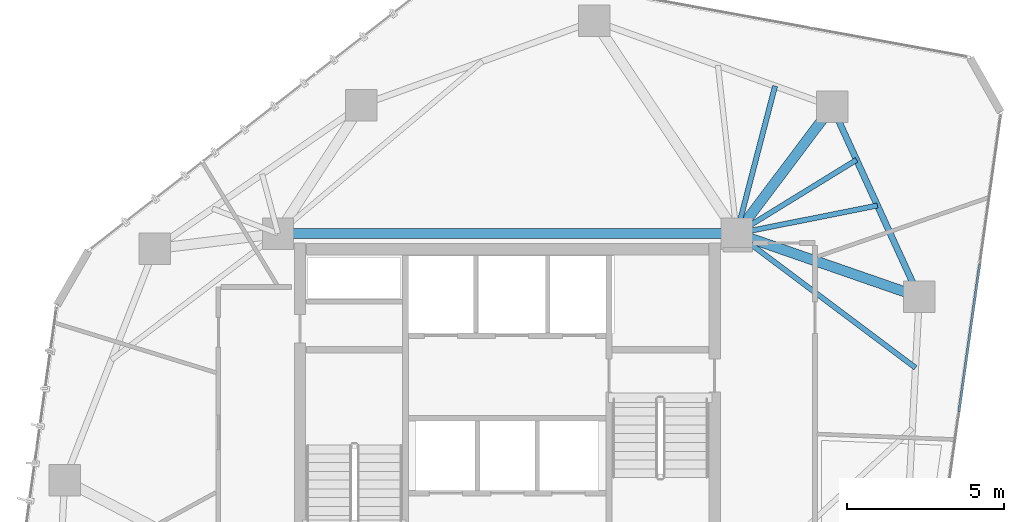
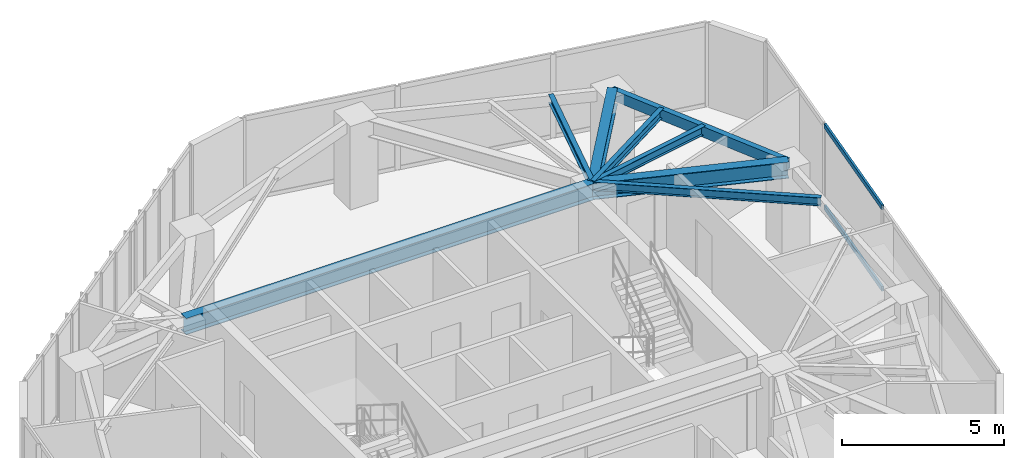
# One storey, part 12 of 21: 8 beams, 2 members, 1 element without a shape of its own.
"""IFC4 building model written with IfcOpenShell, lengths in metres."""

from ifc_helpers import new_model, si_unit, direction, frame, origin, origin_2d, place, context, subcontext, project, spatial, hollow_rectangle, i_section, extrude, source, transform, mapped, material, layer, layer_set, material_profile, profile_set, type_object, type_shapes, element, aggregate, save


model = new_model("IFC4")

# Units and contexts
model_context = context("Model", 3, precision=1e-05, world=origin(), true_north=direction((0.0, 1.0)))
body_context = subcontext(model_context, "Body", "Model", "MODEL_VIEW")
ifc_project = project(units=[si_unit("LENGTHUNIT", "METRE"), si_unit("AREAUNIT", "SQUARE_METRE"), si_unit("VOLUMEUNIT", "CUBIC_METRE"), si_unit("PLANEANGLEUNIT", "RADIAN"), si_unit("MASSUNIT", "GRAM", prefix="KILO")], contexts=[model_context])

# Site, building, storey
site_placement = place(None, origin())
site = spatial("IfcSite", under=ifc_project, at=site_placement, CompositionType="ELEMENT")
building_placement = place(site_placement, origin())
building = spatial("IfcBuilding", under=site, at=building_placement, Name="Talar Marvaseh", CompositionType="ELEMENT")
storey_placement = place(building_placement, frame((0.0, 0.0, 232.699951171875)))
storey = spatial("IfcBuildingStorey", under=building, at=storey_placement, Name="L61", CompositionType="ELEMENT", Elevation=232.699951171875)

# Beams
ifc_material_1 = material(Name="Steel S355", Category="steel")
ifc_material_profile_1 = material_profile(ifc_material_1, hollow_rectangle(XDim=0.199951171875, YDim=0.39990234375, WallThickness=0.013916015625, at=origin_2d()), Name="RHS400x200x14")
ifc_profile_set_1 = profile_set([ifc_material_profile_1], Name="Steel S355")
beam_type_1 = type_object("IfcBeamType", Name="Zone 3 Perimeter Spandrel Beam RHS400x200x14", PredefinedType="SPANDREL", material=ifc_profile_set_1)
beam_1_placement = place(storey_placement, frame((36.341064453125, 40.94189453125, 2.949951171875), z_axis=(0.416090570719, -0.909323175202, 0.0), x_axis=(0.909323175202, 0.416090570719, 0.0)))
element("IfcBeam", 1, at=beam_1_placement, inside=storey, type_object=beam_type_1, Name="L61 Zone 3 Perimeter Spandrel Beam RHS400x200x14", PredefinedType="SPANDREL", context=body_context, shape_type="SweptSolid", body=[
    extrude(hollow_rectangle(XDim=0.199951171875, YDim=0.39990234375, WallThickness=0.013916015625, at=origin_2d()), origin(), (0.0, 0.0, 1.0), 6.661865234375),
])
ifc_material_profile_2 = material_profile(ifc_material_1, i_section(OverallWidth=0.324951171875, OverallDepth=0.615966796875, WebThickness=0.013916015625, FlangeThickness=0.021484375, at=origin_2d()), Name="W610x174")
ifc_profile_set_2 = profile_set([ifc_material_profile_2], Name="Steel S355")
beam_type_2 = type_object("IfcBeamType", Name="Zone 3 Radial Floor Girder W610x174", PredefinedType="BEAM", material=ifc_profile_set_2)
beam_2_placement = place(storey_placement, frame((18.699951171875, 36.89990234375, 2.842041015625), z_axis=(1.0, 0.0, 0.0), x_axis=(0.0, 1.0, 0.0)))
element("IfcBeam", 2, at=beam_2_placement, inside=storey, type_object=beam_type_2, Name="L61 Zone 3 Radial Floor Girder W610x174", PredefinedType="BEAM", context=body_context, shape_type="SweptSolid", body=[
    extrude(i_section(OverallWidth=0.324951171875, OverallDepth=0.615966796875, WebThickness=0.013916015625, FlangeThickness=0.021484375, at=origin_2d()), origin(), (0.0, 0.0, 1.0), 14.60009765625),
])
beam_3_placement = place(storey_placement, frame((36.341064453125, 40.94189453125, 2.842041015625), z_axis=(-0.601204044541, -0.799095549247, 0.0), x_axis=(0.799095549247, -0.601204044541, 0.0)))
element("IfcBeam", 3, at=beam_3_placement, inside=storey, type_object=beam_type_2, Name="L61 Zone 3 Radial Floor Girder W610x174", PredefinedType="BEAM", context=body_context, shape_type="SweptSolid", body=[
    extrude(i_section(OverallWidth=0.324951171875, OverallDepth=0.615966796875, WebThickness=0.013916015625, FlangeThickness=0.021484375, at=origin_2d()), origin(), (0.0, 0.0, 1.0), 5.05810546875),
])
beam_4_placement = place(storey_placement, frame((39.113037109375, 34.884033203125, 2.842041015625), z_axis=(-0.94480098975, 0.327644761544, 0.0), x_axis=(-0.327644761544, -0.94480098975, 0.0)))
element("IfcBeam", 4, at=beam_4_placement, inside=storey, type_object=beam_type_2, Name="L61 Zone 3 Radial Floor Girder W610x174", PredefinedType="BEAM", context=body_context, shape_type="SweptSolid", body=[
    extrude(i_section(OverallWidth=0.324951171875, OverallDepth=0.615966796875, WebThickness=0.013916015625, FlangeThickness=0.021484375, at=origin_2d()), origin(), (0.0, 0.0, 1.0), 6.152587890625),
])
ifc_material_profile_3 = material_profile(ifc_material_1, i_section(OverallWidth=0.166015625, OverallDepth=0.31298828125, WebThickness=0.006591796875, FlangeThickness=0.01123046875, at=origin_2d()), Name="W310x45")
ifc_profile_set_3 = profile_set([ifc_material_profile_3], Name="Steel S355")
beam_type_3 = type_object("IfcBeamType", Name="Zone 3 Secondary Floor Joist W310x45", PredefinedType="JOIST", material=ifc_profile_set_3)
beam_5_placement = place(storey_placement, frame((34.52294921875, 41.59619140625, 2.99365234375), z_axis=(-0.251993851934, -0.967728835257, 0.0), x_axis=(0.967728835257, -0.251993851934, 0.0)))
element("IfcBeam", 5, at=beam_5_placement, inside=storey, type_object=beam_type_3, Name="L61 Zone 3 Secondary Floor Joist W310x45", PredefinedType="JOIST", context=body_context, shape_type="SweptSolid", body=[
    extrude(i_section(OverallWidth=0.166015625, OverallDepth=0.31298828125, WebThickness=0.006591796875, FlangeThickness=0.01123046875, at=origin_2d()), origin(), (0.0, 0.0, 1.0), 4.852783203125),
])
beam_6_placement = place(storey_placement, frame((37.1171875, 39.245849609375, 2.99365234375), z_axis=(-0.851963133725, -0.52360177499, 0.0), x_axis=(0.52360177499, -0.851963133725, 0.0)))
element("IfcBeam", 6, at=beam_6_placement, inside=storey, type_object=beam_type_3, Name="L61 Zone 3 Secondary Floor Joist W310x45", PredefinedType="JOIST", context=body_context, shape_type="SweptSolid", body=[
    extrude(i_section(OverallWidth=0.166015625, OverallDepth=0.31298828125, WebThickness=0.006591796875, FlangeThickness=0.01123046875, at=origin_2d()), origin(), (0.0, 0.0, 1.0), 4.48046875),
])
beam_7_placement = place(storey_placement, frame((37.782470703125, 37.791748046875, 2.99365234375), z_axis=(-0.980775375356, -0.195140111447, 0.0), x_axis=(0.195140111447, -0.980775375356, 0.0)))
element("IfcBeam", 7, at=beam_7_placement, inside=storey, type_object=beam_type_3, Name="L61 Zone 3 Secondary Floor Joist W310x45", PredefinedType="JOIST", context=body_context, shape_type="SweptSolid", body=[
    extrude(i_section(OverallWidth=0.166015625, OverallDepth=0.31298828125, WebThickness=0.006591796875, FlangeThickness=0.01123046875, at=origin_2d()), origin(), (0.0, 0.0, 1.0), 4.5703125),
])
beam_8_placement = place(storey_placement, frame((38.994384765625, 32.627197265625, 2.99365234375), z_axis=(-0.799868292589, 0.600175569739, 0.0), x_axis=(-0.600175569739, -0.799868292589, 0.0)))
element("IfcBeam", 8, at=beam_8_placement, inside=storey, type_object=beam_type_3, Name="L61 Zone 3 Secondary Floor Joist W310x45", PredefinedType="JOIST", context=body_context, shape_type="SweptSolid", body=[
    extrude(i_section(OverallWidth=0.166015625, OverallDepth=0.31298828125, WebThickness=0.006591796875, FlangeThickness=0.01123046875, at=origin_2d()), origin(), (0.0, 0.0, 1.0), 7.119140625),
])

# Curtain wall, members
ifc_material_2 = material(Name="Architectural Aluminium", Category="aluminium")
ifc_layer = layer(ifc_material_2, 0.18994140625)
ifc_layer_set = layer_set([ifc_layer], Name="Architectural Aluminium")
curtain_wall_type = type_object("IfcCurtainWallType", Name="Unitised Solar Atelier Curtain Wall Z3", PredefinedType="NOTDEFINED", material=ifc_layer_set)
curtain_wall_placement = place(storey_placement, origin())
curtain_wall = element("IfcCurtainWall", 9, at=curtain_wall_placement, inside=storey, type_object=curtain_wall_type, Name="L61 Unitised Solar Atelier Curtain Wall Z3", PredefinedType="NOTDEFINED")
ifc_material_profile_4 = material_profile(ifc_material_2, hollow_rectangle(XDim=0.074951171875, YDim=0.179931640625, WallThickness=0.0048828125, at=origin_2d()), Name="RHS180x75x5")
ifc_profile_set_4 = profile_set([ifc_material_profile_4], Name="Architectural Aluminium")
member_type = type_object("IfcMemberType", Name="Unitised Curtain Wall Transom RHS180x75x5", PredefinedType="USERDEFINED", material=ifc_profile_set_4)
shared_shape = source(origin(), body_context, "Body", "SweptSolid", [
    extrude(hollow_rectangle(XDim=0.074951171875, YDim=0.179931640625, WallThickness=0.0048828125, at=origin_2d()), origin(), (0.0, 0.0, 1.0), 4.747314453125),
])
type_shapes(member_type, [shared_shape])
member_1_placement = place(storey_placement, frame((41.036865234375, 35.91845703125, 0.03759765625), z_axis=(-0.139318657575, -0.990247601184, 0.0), x_axis=(0.990247601184, -0.139318657575, 0.0)))
member_1 = element("IfcMember", 10, at=member_1_placement, type_object=member_type, Name="CW-Z3 transom 2.1", ObjectType="TRANSOM", PredefinedType="USERDEFINED", context=body_context, shape_type="MappedRepresentation", body=[
    mapped(shared_shape, transform((0.0, 0.0, 0.0), x_axis=(1.0, 0.0, 0.0), y_axis=(0.0, 1.0, 0.0), z_axis=(0.0, 0.0, 1.0), scale=1.0)),
])
member_2_placement = place(storey_placement, frame((41.036865234375, 35.91845703125, 3.112548828125), z_axis=(-0.139318657575, -0.990247601184, 0.0), x_axis=(0.990247601184, -0.139318657575, 0.0)))
member_2 = element("IfcMember", 11, at=member_2_placement, type_object=member_type, Name="CW-Z3 transom 2.2", ObjectType="TRANSOM", PredefinedType="USERDEFINED", context=body_context, shape_type="MappedRepresentation", body=[
    mapped(shared_shape, transform((0.0, 0.0, 0.0), x_axis=(1.0, 0.0, 0.0), y_axis=(0.0, 1.0, 0.0), z_axis=(0.0, 0.0, 1.0), scale=1.0)),
])
aggregate(curtain_wall, [member_1, member_2])

save(model, "model.ifc")
